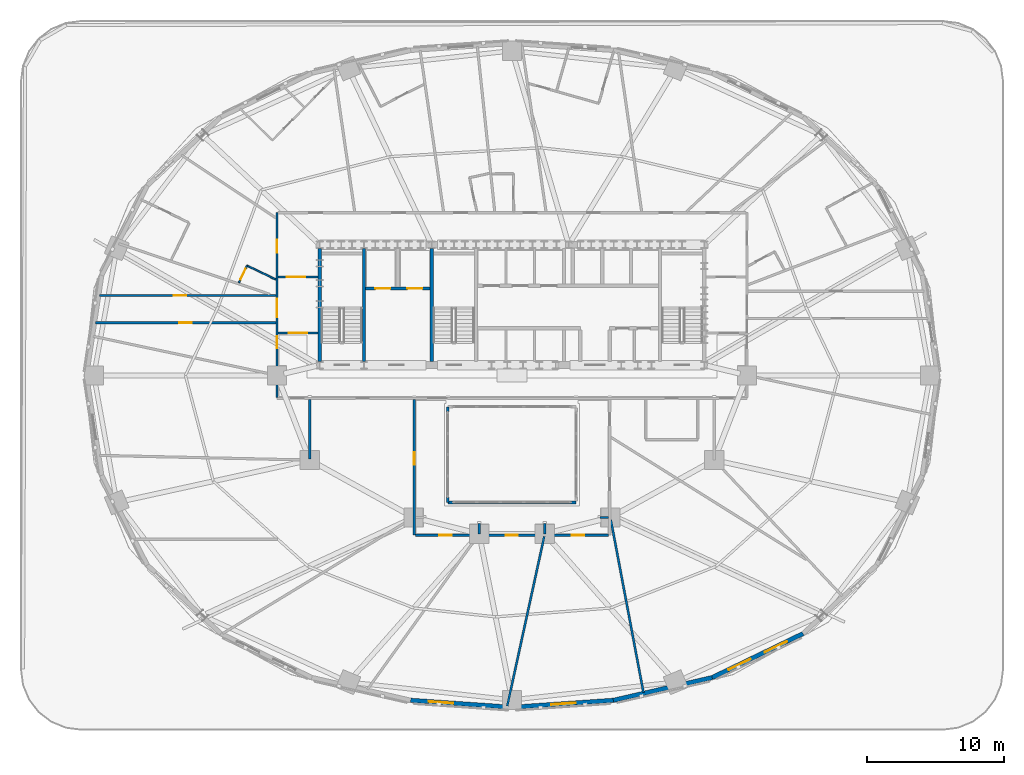
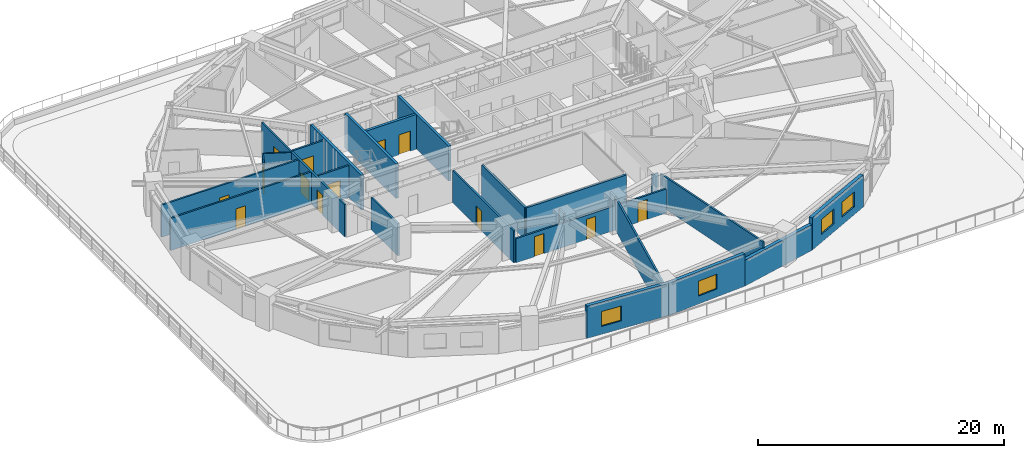
# One storey, part 8 of 18: 25 walls, 14 doors, 4 windows, 18 openings.
"""IFC4 building model written with IfcOpenShell, lengths in metres."""

from ifc_helpers import new_model, si_unit, direction, frame, frame_2d, origin, place, context, subcontext, project, spatial, rectangle, extrude, material, layer, layer_set, type_object, element, fill, save


model = new_model("IFC4")

# Units and contexts
model_context = context("Model", 3, precision=1e-05, world=origin(), true_north=direction((0.0, 1.0)))
body_context = subcontext(model_context, "Body", "Model", "MODEL_VIEW")
ifc_project = project(units=[si_unit("LENGTHUNIT", "METRE"), si_unit("AREAUNIT", "SQUARE_METRE"), si_unit("VOLUMEUNIT", "CUBIC_METRE"), si_unit("PLANEANGLEUNIT", "RADIAN"), si_unit("MASSUNIT", "GRAM", prefix="KILO")], contexts=[model_context])

# Site, building, storey
site_placement = place(None, origin())
site = spatial("IfcSite", under=ifc_project, at=site_placement, CompositionType="ELEMENT")
building_placement = place(site_placement, origin())
building = spatial("IfcBuilding", under=site, at=building_placement, Name="Haldorwick Loom Tower", CompositionType="ELEMENT")
storey_placement = place(building_placement, frame((0.0, 0.0, 24.0)))
storey = spatial("IfcBuildingStorey", under=building, at=storey_placement, Name="L05", CompositionType="ELEMENT", Elevation=24.0)

# Wall, opening, window
ifc_material_1 = material(Name="Pressed Clay Face Brick and Insulated Masonry Backup Assembly", Category="masonry")
ifc_layer_1 = layer(ifc_material_1, 0.320068359375, Name="Pressed Clay Face Brick and Insulated Masonry Backup Assembly", Category="masonry")
ifc_layer_set_1 = layer_set([ifc_layer_1], Name="Pressed Clay Face Brick and Insulated Masonry Backup Assembly")
wall_type_1 = type_object("IfcWallType", Name="ARC-WL-EXT320", PredefinedType="STANDARD", material=ifc_layer_set_1)
wall_1_placement = place(storey_placement, frame((28.588623046875, 2.219482421875, 0.0), z_axis=(0.0, 0.0, 1.0), x_axis=(0.997645161917, -0.068586667092, 0.0)))
wall_1 = element("IfcWall", 1, at=wall_1_placement, inside=storey, type_object=wall_type_1, Name="L05 Brick Pier and Spandrel Wall 18", PredefinedType="STANDARD", context=body_context, shape_type="SweptSolid", body=[
    extrude(rectangle(XDim=7.428955078125, YDim=0.320068359375, at=frame_2d((3.71435546875, 0.0))), origin(), (0.0, 0.0, 1.0), 3.2099609375),
])
opening_1_placement = place(wall_1_placement, frame((1.32861328125, 0.0, 0.800048828125)))
opening_1 = element("IfcOpeningElement", 2, at=opening_1_placement, cuts=wall_1, Name="Opening W-01", PredefinedType="OPENING", context=body_context, shape_type="SweptSolid", body=[
    extrude(rectangle(XDim=1.800048828125, YDim=1.47998046875, at=frame_2d((0.89990234375, 0.739990234375))), frame((0.0, 0.169921875, 0.0), z_axis=(0.0, -1.0, 0.0), x_axis=(1.0, 0.0, 0.0)), (0.0, 0.0, 1.0), 0.340087890625),
])
ifc_material_2 = material(Name="Triple-Glazed Low-E Argon Insulated Glazing Unit", Category="glass")
window_type = type_object("IfcWindowType", Name="ARC-WIN-W180", PartitioningType="SINGLE_PANEL", PredefinedType="WINDOW", material=ifc_material_2)
window_1_placement = place(opening_1_placement, origin())
window_1 = element("IfcWindow", 3, at=window_1_placement, inside=storey, type_object=window_type, Name="L05 Deep-Set Zone 7A Window 18", OverallHeight=1.47998046875, OverallWidth=1.800048828125, PartitioningType="SINGLE_PANEL", PredefinedType="WINDOW", context=body_context, shape_type="SweptSolid", body=[
    extrude(rectangle(XDim=1.800048828125, YDim=1.47998046875, at=frame_2d((0.89990234375, 0.739990234375))), frame((0.0, 0.030029296875, 0.0), z_axis=(0.0, -1.0, 0.0), x_axis=(1.0, 0.0, 0.0)), (0.0, 0.0, 1.0), 0.06005859375),
])
fill(opening_1, window_1)

wall_2_placement = place(storey_placement, frame((36.0, 1.7099609375, 0.0), z_axis=(0.0, 0.0, 1.0), x_axis=(0.997645161917, 0.068586667092, 0.0)))
wall_2 = element("IfcWall", 4, at=wall_2_placement, inside=storey, type_object=wall_type_1, Name="L05 Brick Pier and Spandrel Wall 19", PredefinedType="STANDARD", context=body_context, shape_type="SweptSolid", body=[
    extrude(rectangle(XDim=7.428955078125, YDim=0.320068359375, at=frame_2d((3.71435546875, 0.0))), origin(), (0.0, 0.0, 1.0), 3.2099609375),
])
opening_2_placement = place(wall_2_placement, frame((2.874755859375, 0.0, 0.800048828125)))
opening_2 = element("IfcOpeningElement", 5, at=opening_2_placement, cuts=wall_2, Name="Opening W-01", PredefinedType="OPENING", context=body_context, shape_type="SweptSolid", body=[
    extrude(rectangle(XDim=1.800048828125, YDim=1.47998046875, at=frame_2d((0.89990234375, 0.739990234375))), frame((0.0, 0.169921875, 0.0), z_axis=(0.0, -1.0, 0.0), x_axis=(1.0, 0.0, 0.0)), (0.0, 0.0, 1.0), 0.340087890625),
])
window_2_placement = place(opening_2_placement, origin())
window_2 = element("IfcWindow", 6, at=window_2_placement, inside=storey, type_object=window_type, Name="L05 Deep-Set Zone 7A Window 19", OverallHeight=1.47998046875, OverallWidth=1.800048828125, PartitioningType="SINGLE_PANEL", PredefinedType="WINDOW", context=body_context, shape_type="SweptSolid", body=[
    extrude(rectangle(XDim=1.800048828125, YDim=1.47998046875, at=frame_2d((0.89990234375, 0.739990234375))), frame((0.0, 0.030029296875, 0.0), z_axis=(0.0, -1.0, 0.0), x_axis=(1.0, 0.0, 0.0)), (0.0, 0.0, 1.0), 0.06005859375),
])
fill(opening_2, window_2)

# Wall
wall_3_placement = place(storey_placement, frame((43.411376953125, 2.219482421875, 0.0), z_axis=(0.0, 0.0, 1.0), x_axis=(0.974522412345, 0.224290142088, 0.0)))
element("IfcWall", 7, at=wall_3_placement, inside=storey, type_object=wall_type_1, Name="L05 Brick Pier and Spandrel Wall 20", PredefinedType="STANDARD", context=body_context, shape_type="SweptSolid", body=[
    extrude(rectangle(XDim=7.422607421875, YDim=0.320068359375, at=frame_2d((3.71142578125, 0.0))), origin(), (0.0, 0.0, 1.0), 2.569091796875),
])

# Wall, openings, windows
wall_4_placement = place(storey_placement, frame((50.644775390625, 3.88427734375, 0.0), z_axis=(0.0, 0.0, 1.0), x_axis=(0.900295710431, 0.435278800057, 0.0)))
wall_4 = element("IfcWall", 8, at=wall_4_placement, inside=storey, type_object=wall_type_1, Name="L05 Brick Pier and Spandrel Wall 21", PredefinedType="STANDARD", context=body_context, shape_type="SweptSolid", body=[
    extrude(rectangle(XDim=7.39697265625, YDim=0.320068359375, at=frame_2d((3.698486328125, 0.0))), origin(), (0.0, 0.0, 1.0), 3.2099609375),
])
opening_3_placement = place(wall_4_placement, frame((1.319091796875, 0.0, 0.800048828125)))
opening_3 = element("IfcOpeningElement", 9, at=opening_3_placement, cuts=wall_4, Name="Opening W-01", PredefinedType="OPENING", context=body_context, shape_type="SweptSolid", body=[
    extrude(rectangle(XDim=1.800048828125, YDim=1.47998046875, at=frame_2d((0.89990234375, 0.739990234375))), frame((0.0, 0.169921875, 0.0), z_axis=(0.0, -1.0, 0.0), x_axis=(1.0, 0.0, 0.0)), (0.0, 0.0, 1.0), 0.340087890625),
])
opening_4_placement = place(wall_4_placement, frame((4.27783203125, 0.0, 0.800048828125)))
opening_4 = element("IfcOpeningElement", 10, at=opening_4_placement, cuts=wall_4, Name="Opening W-01", PredefinedType="OPENING", context=body_context, shape_type="SweptSolid", body=[
    extrude(rectangle(XDim=1.800048828125, YDim=1.47998046875, at=frame_2d((0.89990234375, 0.739990234375))), frame((0.0, 0.169921875, 0.0), z_axis=(0.0, -1.0, 0.0), x_axis=(1.0, 0.0, 0.0)), (0.0, 0.0, 1.0), 0.340087890625),
])
window_3_placement = place(opening_3_placement, origin())
window_3 = element("IfcWindow", 11, at=window_3_placement, inside=storey, type_object=window_type, Name="L05 Deep-Set Zone 7A Window 21", OverallHeight=1.47998046875, OverallWidth=1.800048828125, PartitioningType="SINGLE_PANEL", PredefinedType="WINDOW", context=body_context, shape_type="SweptSolid", body=[
    extrude(rectangle(XDim=1.800048828125, YDim=1.47998046875, at=frame_2d((0.89990234375, 0.739990234375))), frame((0.0, 0.030029296875, 0.0), z_axis=(0.0, -1.0, 0.0), x_axis=(1.0, 0.0, 0.0)), (0.0, 0.0, 1.0), 0.06005859375),
])
fill(opening_3, window_3)
window_4_placement = place(opening_4_placement, origin())
window_4 = element("IfcWindow", 12, at=window_4_placement, inside=storey, type_object=window_type, Name="L05 Deep-Set Zone 7A Window 21", OverallHeight=1.47998046875, OverallWidth=1.800048828125, PartitioningType="SINGLE_PANEL", PredefinedType="WINDOW", context=body_context, shape_type="SweptSolid", body=[
    extrude(rectangle(XDim=1.800048828125, YDim=1.47998046875, at=frame_2d((0.89990234375, 0.739990234375))), frame((0.0, 0.030029296875, 0.0), z_axis=(0.0, -1.0, 0.0), x_axis=(1.0, 0.0, 0.0)), (0.0, 0.0, 1.0), 0.06005859375),
])
fill(opening_4, window_4)

# Wall, openings, doors
ifc_material_3 = material(Name="Fire-Rated Type X Gypsum Stud Assembly EI 60")
ifc_layer_2 = layer(ifc_material_3, 0.159912109375, Name="Fire-Rated Type X Gypsum Stud Assembly EI 60")
ifc_layer_set_2 = layer_set([ifc_layer_2], Name="Fire-Rated Type X Gypsum Stud Assembly EI 60")
wall_type_2 = type_object("IfcWallType", Name="ARC-WL-FIRE160", PredefinedType="PARTITIONING", material=ifc_layer_set_2)
wall_5_placement = place(storey_placement, frame((18.800048828125, 24.383056640625, 0.0), z_axis=(0.0, 0.0, 1.0), x_axis=(0.0, 1.0, 0.0)))
wall_5 = element("IfcWall", 13, at=wall_5_placement, inside=storey, type_object=wall_type_2, Name="L05 Residential Fire Partition L05-CR-W0", PredefinedType="PARTITIONING", context=body_context, shape_type="SweptSolid", body=[
    extrude(rectangle(XDim=13.516845703125, YDim=0.159912109375, at=frame_2d((6.75830078125, 0.0))), origin(), (0.0, 0.0, 1.0), 3.195068359375),
])
opening_5_placement = place(wall_5_placement, frame((5.86181640625, 0.0, 0.0)))
opening_5 = element("IfcOpeningElement", 14, at=opening_5_placement, cuts=wall_5, Name="Opening D-CR15", PredefinedType="OPENING", context=body_context, shape_type="SweptSolid", body=[
    extrude(rectangle(XDim=1.35009765625, YDim=2.0, at=frame_2d((0.675048828125, 1.0))), frame((0.0, 0.08984375, 0.0), z_axis=(0.0, -1.0, 0.0), x_axis=(1.0, 0.0, 0.0)), (0.0, 0.0, 1.0), 0.179931640625),
])
opening_6_placement = place(wall_5_placement, frame((10.6044921875, 0.0, 0.0)))
opening_6 = element("IfcOpeningElement", 15, at=opening_6_placement, cuts=wall_5, Name="Opening D-FL95", PredefinedType="OPENING", context=body_context, shape_type="SweptSolid", body=[
    extrude(rectangle(XDim=0.949951171875, YDim=2.0400390625, at=frame_2d((0.47509765625, 1.02001953125))), frame((0.0, 0.08984375, 0.0), z_axis=(0.0, -1.0, 0.0), x_axis=(1.0, 0.0, 0.0)), (0.0, 0.0, 1.0), 0.179931640625),
])
opening_7_placement = place(wall_5_placement, frame((3.59326171875, 0.0, 0.0)))
opening_7 = element("IfcOpeningElement", 16, at=opening_7_placement, cuts=wall_5, Name="Opening D-FD60A", PredefinedType="OPENING", context=body_context, shape_type="SweptSolid", body=[
    extrude(rectangle(XDim=0.89990234375, YDim=2.0, at=frame_2d((0.449951171875, 1.0))), frame((0.0, 0.08984375, 0.0), z_axis=(0.0, -1.0, 0.0), x_axis=(1.0, 0.0, 0.0)), (0.0, 0.0, 1.0), 0.179931640625),
])
ifc_material_4 = material(Name="Thermally Broken Anodized Aluminium and Tempered Glass", Category="aluminium")
door_type_1 = type_object("IfcDoorType", Name="ARC-DR-COR150", OperationType="NOTDEFINED", PredefinedType="DOOR", material=ifc_material_4)
door_1_placement = place(opening_5_placement, origin())
door_1 = element("IfcDoor", 17, at=door_1_placement, inside=storey, type_object=door_type_1, Name="L05 L05 West Daylight Corridor to L05 West Residential Corridor Door", OperationType="DOUBLE_DOOR_SINGLE_SWING", OverallHeight=2.0, OverallWidth=1.35009765625, PredefinedType="DOOR", context=body_context, shape_type="SweptSolid", body=[
    extrude(rectangle(XDim=1.35009765625, YDim=2.0, at=frame_2d((0.675048828125, 1.0))), frame((0.0, 0.02490234375, 0.0), z_axis=(0.0, -1.0, 0.0), x_axis=(1.0, 0.0, 0.0)), (0.0, 0.0, 1.0), 0.050048828125),
])
fill(opening_5, door_1)
ifc_material_5 = material(Name="Hollow Steel Fire Door Assembly", Category="steel")
door_type_2 = type_object("IfcDoorType", Name="ARC-DR-FD60-90", OperationType="NOTDEFINED", PredefinedType="DOOR", material=ifc_material_5)
door_2_placement = place(opening_7_placement, frame((0.89990234375, 0.0, 0.0), z_axis=(0.0, 0.0, 1.0), x_axis=(-1.0, 0.0, 0.0)))
door_2 = element("IfcDoor", 18, at=door_2_placement, inside=storey, type_object=door_type_2, Name="L05 Resident Study Room 9 to L05 Central Residential Corridor Door", OperationType="SINGLE_SWING_LEFT", OverallHeight=2.0, OverallWidth=0.89990234375, PredefinedType="DOOR", context=body_context, shape_type="SweptSolid", body=[
    extrude(rectangle(XDim=0.89990234375, YDim=2.0, at=frame_2d((0.449951171875, 1.0))), frame((0.0, 0.02490234375, 0.0), z_axis=(0.0, -1.0, 0.0), x_axis=(1.0, 0.0, 0.0)), (0.0, 0.0, 1.0), 0.050048828125),
])
fill(opening_7, door_2)
ifc_material_6 = material(Name="Solid Core Birch Architectural Door")
door_type_3 = type_object("IfcDoorType", Name="ARC-DR-FLAT95", OperationType="NOTDEFINED", PredefinedType="DOOR", material=ifc_material_6)
door_3_placement = place(opening_6_placement, frame((0.949951171875, 0.0, 0.0), z_axis=(0.0, 0.0, 1.0), x_axis=(-1.0, 0.0, 0.0)))
door_3 = element("IfcDoor", 19, at=door_3_placement, inside=storey, type_object=door_type_3, Name="L05 Unit 05I Kitchen and Living Room to L05 North Residential Corridor D", OperationType="SINGLE_SWING_RIGHT", OverallHeight=2.0400390625, OverallWidth=0.949951171875, PredefinedType="DOOR", context=body_context, shape_type="SweptSolid", body=[
    extrude(rectangle(XDim=0.949951171875, YDim=2.0400390625, at=frame_2d((0.47509765625, 1.02001953125))), frame((0.0, 0.02490234375, 0.0), z_axis=(0.0, -1.0, 0.0), x_axis=(1.0, 0.0, 0.0)), (0.0, 0.0, 1.0), 0.050048828125),
])
fill(opening_6, door_3)

# Wall, opening, door
wall_6_placement = place(storey_placement, frame((18.883056640625, 29.10009765625, 0.0), z_axis=(0.0, 0.0, 1.0), x_axis=(1.0, 0.0, 0.0)))
wall_6 = element("IfcWall", 20, at=wall_6_placement, inside=storey, type_object=wall_type_2, Name="L05 Residential Fire Partition L05-CR-WSJ", PredefinedType="PARTITIONING", context=body_context, shape_type="SweptSolid", body=[
    extrude(rectangle(XDim=2.923828125, YDim=0.159912109375, at=frame_2d((1.4619140625, 0.0))), origin(), (0.0, 0.0, 1.0), 3.195068359375),
])
opening_8_placement = place(wall_6_placement, frame((0.787109375, 0.0, 0.0)))
opening_8 = element("IfcOpeningElement", 21, at=opening_8_placement, cuts=wall_6, Name="Opening D-CR15", PredefinedType="OPENING", context=body_context, shape_type="SweptSolid", body=[
    extrude(rectangle(XDim=1.35009765625, YDim=2.0, at=frame_2d((0.675048828125, 1.0))), frame((0.0, 0.08984375, 0.0), z_axis=(0.0, -1.0, 0.0), x_axis=(1.0, 0.0, 0.0)), (0.0, 0.0, 1.0), 0.179931640625),
])
door_4_placement = place(opening_8_placement, origin())
door_4 = element("IfcDoor", 22, at=door_4_placement, inside=storey, type_object=door_type_1, Name="L05 L05 West Residential Corridor to L05 Central Residential Corridor Do", OperationType="DOUBLE_DOOR_SINGLE_SWING", OverallHeight=2.0, OverallWidth=1.35009765625, PredefinedType="DOOR", context=body_context, shape_type="SweptSolid", body=[
    extrude(rectangle(XDim=1.35009765625, YDim=2.0, at=frame_2d((0.675048828125, 1.0))), frame((0.0, 0.02490234375, 0.0), z_axis=(0.0, -1.0, 0.0), x_axis=(1.0, 0.0, 0.0)), (0.0, 0.0, 1.0), 0.050048828125),
])
fill(opening_8, door_4)

wall_7_placement = place(storey_placement, frame((18.883056640625, 33.199951171875, 0.0), z_axis=(0.0, 0.0, 1.0), x_axis=(1.0, 0.0, 0.0)))
wall_7 = element("IfcWall", 23, at=wall_7_placement, inside=storey, type_object=wall_type_2, Name="L05 Residential Fire Partition L05-CR-WNJ", PredefinedType="PARTITIONING", context=body_context, shape_type="SweptSolid", body=[
    extrude(rectangle(XDim=2.923828125, YDim=0.159912109375, at=frame_2d((1.4619140625, 0.0))), origin(), (0.0, 0.0, 1.0), 3.195068359375),
])
opening_9_placement = place(wall_7_placement, frame((0.637939453125, 0.0, 0.0)))
opening_9 = element("IfcOpeningElement", 24, at=opening_9_placement, cuts=wall_7, Name="Opening D-CR15", PredefinedType="OPENING", context=body_context, shape_type="SweptSolid", body=[
    extrude(rectangle(XDim=1.35009765625, YDim=2.0, at=frame_2d((0.675048828125, 1.0))), frame((0.0, 0.08984375, 0.0), z_axis=(0.0, -1.0, 0.0), x_axis=(1.0, 0.0, 0.0)), (0.0, 0.0, 1.0), 0.179931640625),
])
door_5_placement = place(opening_9_placement, origin())
door_5 = element("IfcDoor", 25, at=door_5_placement, inside=storey, type_object=door_type_1, Name="L05 L05 North Residential Corridor to L05 West Residential Corridor Door", OperationType="DOUBLE_DOOR_SINGLE_SWING", OverallHeight=2.0, OverallWidth=1.35009765625, PredefinedType="DOOR", context=body_context, shape_type="SweptSolid", body=[
    extrude(rectangle(XDim=1.35009765625, YDim=2.0, at=frame_2d((0.675048828125, 1.0))), frame((0.0, 0.02490234375, 0.0), z_axis=(0.0, -1.0, 0.0), x_axis=(1.0, 0.0, 0.0)), (0.0, 0.0, 1.0), 0.050048828125),
])
fill(opening_9, door_5)

wall_8_placement = place(storey_placement, frame((28.85009765625, 14.300048828125, 0.0), z_axis=(0.0, 0.0, 1.0), x_axis=(0.0, 1.0, 0.0)))
wall_8 = element("IfcWall", 26, at=wall_8_placement, inside=storey, type_object=wall_type_2, Name="L05 Residential Fire Partition L05-CR-AW", PredefinedType="PARTITIONING", context=body_context, shape_type="SweptSolid", body=[
    extrude(rectangle(XDim=9.9169921875, YDim=0.159912109375, at=frame_2d((4.95849609375, 0.0))), origin(), (0.0, 0.0, 1.0), 3.195068359375),
])
opening_10_placement = place(wall_8_placement, frame((5.169677734375, 0.0, 0.0)))
opening_10 = element("IfcOpeningElement", 27, at=opening_10_placement, cuts=wall_8, Name="Opening D-FD60A", PredefinedType="OPENING", context=body_context, shape_type="SweptSolid", body=[
    extrude(rectangle(XDim=0.89990234375, YDim=2.0, at=frame_2d((0.449951171875, 1.0))), frame((0.0, 0.08984375, 0.0), z_axis=(0.0, -1.0, 0.0), x_axis=(1.0, 0.0, 0.0)), (0.0, 0.0, 1.0), 0.179931640625),
])
door_6_placement = place(opening_10_placement, frame((0.89990234375, 0.0, 0.0), z_axis=(0.0, 0.0, 1.0), x_axis=(-1.0, 0.0, 0.0)))
door_6 = element("IfcDoor", 28, at=door_6_placement, inside=storey, type_object=door_type_2, Name="L05 Community Library Hall 5 to L05 South Atrium Corridor Door", OperationType="SINGLE_SWING_RIGHT", OverallHeight=2.0, OverallWidth=0.89990234375, PredefinedType="DOOR", context=body_context, shape_type="SweptSolid", body=[
    extrude(rectangle(XDim=0.89990234375, YDim=2.0, at=frame_2d((0.449951171875, 1.0))), frame((0.0, 0.02490234375, 0.0), z_axis=(0.0, -1.0, 0.0), x_axis=(1.0, 0.0, 0.0)), (0.0, 0.0, 1.0), 0.050048828125),
])
fill(opening_10, door_6)

# Wall, openings, doors
wall_9_placement = place(storey_placement, frame((28.93310546875, 14.300048828125, 0.0), z_axis=(0.0, 0.0, 1.0), x_axis=(1.0, 0.0, 0.0)))
wall_9 = element("IfcWall", 29, at=wall_9_placement, inside=storey, type_object=wall_type_2, Name="L05 Residential Fire Partition L05-CR-AS", PredefinedType="PARTITIONING", context=body_context, shape_type="SweptSolid", body=[
    extrude(rectangle(XDim=14.1337890625, YDim=0.159912109375, at=frame_2d((7.06689453125, 0.0))), origin(), (0.0, 0.0, 1.0), 2.412109375),
])
opening_11_placement = place(wall_9_placement, frame((6.6240234375, 0.0, 0.0)))
opening_11 = element("IfcOpeningElement", 30, at=opening_11_placement, cuts=wall_9, Name="Opening D-FD88", PredefinedType="OPENING", context=body_context, shape_type="SweptSolid", body=[
    extrude(rectangle(XDim=0.8798828125, YDim=2.02001953125, at=frame_2d((0.43994140625, 1.010009765625))), frame((0.0, 0.08984375, 0.0), z_axis=(0.0, -1.0, 0.0), x_axis=(1.0, 0.0, 0.0)), (0.0, 0.0, 1.0), 0.179931640625),
])
opening_12_placement = place(wall_9_placement, frame((11.455322265625, 0.0, 0.0)))
opening_12 = element("IfcOpeningElement", 31, at=opening_12_placement, cuts=wall_9, Name="Opening D-FD60A", PredefinedType="OPENING", context=body_context, shape_type="SweptSolid", body=[
    extrude(rectangle(XDim=0.89990234375, YDim=2.0, at=frame_2d((0.449951171875, 1.0))), frame((0.0, 0.08984375, 0.0), z_axis=(0.0, -1.0, 0.0), x_axis=(1.0, 0.0, 0.0)), (0.0, 0.0, 1.0), 0.179931640625),
])
opening_13_placement = place(wall_9_placement, frame((1.75830078125, 0.0, 0.0)))
opening_13 = element("IfcOpeningElement", 32, at=opening_13_placement, cuts=wall_9, Name="Opening D-FD60A", PredefinedType="OPENING", context=body_context, shape_type="SweptSolid", body=[
    extrude(rectangle(XDim=0.89990234375, YDim=2.0, at=frame_2d((0.449951171875, 1.0))), frame((0.0, 0.08984375, 0.0), z_axis=(0.0, -1.0, 0.0), x_axis=(1.0, 0.0, 0.0)), (0.0, 0.0, 1.0), 0.179931640625),
])
door_type_4 = type_object("IfcDoorType", Name="ARC-DR-FD60-88", OperationType="NOTDEFINED", PredefinedType="DOOR", material=ifc_material_5)
door_7_placement = place(opening_11_placement, origin())
door_7 = element("IfcDoor", 33, at=door_7_placement, inside=storey, type_object=door_type_4, Name="L05 L05 South Atrium Corridor to Community Library Hall 1 Door", OperationType="SINGLE_SWING_RIGHT", OverallHeight=2.02001953125, OverallWidth=0.8798828125, PredefinedType="DOOR", context=body_context, shape_type="SweptSolid", body=[
    extrude(rectangle(XDim=0.8798828125, YDim=2.02001953125, at=frame_2d((0.43994140625, 1.010009765625))), frame((0.0, 0.02490234375, 0.0), z_axis=(0.0, -1.0, 0.0), x_axis=(1.0, 0.0, 0.0)), (0.0, 0.0, 1.0), 0.050048828125),
])
fill(opening_11, door_7)
door_8_placement = place(opening_12_placement, origin())
door_8 = element("IfcDoor", 34, at=door_8_placement, inside=storey, type_object=door_type_2, Name="L05 L05 South Atrium Corridor to Community Library Hall 2 Door", OperationType="SINGLE_SWING_LEFT", OverallHeight=2.0, OverallWidth=0.89990234375, PredefinedType="DOOR", context=body_context, shape_type="SweptSolid", body=[
    extrude(rectangle(XDim=0.89990234375, YDim=2.0, at=frame_2d((0.449951171875, 1.0))), frame((0.0, 0.02490234375, 0.0), z_axis=(0.0, -1.0, 0.0), x_axis=(1.0, 0.0, 0.0)), (0.0, 0.0, 1.0), 0.050048828125),
])
fill(opening_12, door_8)
door_9_placement = place(opening_13_placement, origin())
door_9 = element("IfcDoor", 35, at=door_9_placement, inside=storey, type_object=door_type_2, Name="L05 L05 South Atrium Corridor to Community Library Hall 3 Door", OperationType="SINGLE_SWING_LEFT", OverallHeight=2.0, OverallWidth=0.89990234375, PredefinedType="DOOR", context=body_context, shape_type="SweptSolid", body=[
    extrude(rectangle(XDim=0.89990234375, YDim=2.0, at=frame_2d((0.449951171875, 1.0))), frame((0.0, 0.02490234375, 0.0), z_axis=(0.0, -1.0, 0.0), x_axis=(1.0, 0.0, 0.0)), (0.0, 0.0, 1.0), 0.050048828125),
])
fill(opening_13, door_9)

# Wall, opening, door
wall_10_placement = place(storey_placement, frame((5.515625, 29.85009765625, 0.0), z_axis=(0.0, 0.0, 1.0), x_axis=(1.0, 0.0, 0.0)))
wall_10 = element("IfcWall", 36, at=wall_10_placement, inside=storey, type_object=wall_type_2, Name="L05 Residential Fire Partition L05-CR-GW0", PredefinedType="PARTITIONING", context=body_context, shape_type="SweptSolid", body=[
    extrude(rectangle(XDim=13.201416015625, YDim=0.159912109375, at=frame_2d((6.6005859375, 0.0))), origin(), (0.0, 0.0, 1.0), 3.195068359375),
])
opening_14_placement = place(wall_10_placement, frame((6.150634765625, 0.0, 0.0)))
opening_14 = element("IfcOpeningElement", 37, at=opening_14_placement, cuts=wall_10, Name="Opening D-FD60A", PredefinedType="OPENING", context=body_context, shape_type="SweptSolid", body=[
    extrude(rectangle(XDim=0.89990234375, YDim=2.0, at=frame_2d((0.449951171875, 1.0))), frame((0.0, 0.08984375, 0.0), z_axis=(0.0, -1.0, 0.0), x_axis=(1.0, 0.0, 0.0)), (0.0, 0.0, 1.0), 0.179931640625),
])
door_10_placement = place(opening_14_placement, origin())
door_10 = element("IfcDoor", 38, at=door_10_placement, inside=storey, type_object=door_type_2, Name="L05 L05 West Daylight Corridor to Resident Study Room 9 Door", OperationType="SINGLE_SWING_RIGHT", OverallHeight=2.0, OverallWidth=0.89990234375, PredefinedType="DOOR", context=body_context, shape_type="SweptSolid", body=[
    extrude(rectangle(XDim=0.89990234375, YDim=2.0, at=frame_2d((0.449951171875, 1.0))), frame((0.0, 0.02490234375, 0.0), z_axis=(0.0, -1.0, 0.0), x_axis=(1.0, 0.0, 0.0)), (0.0, 0.0, 1.0), 0.050048828125),
])
fill(opening_14, door_10)

wall_11_placement = place(storey_placement, frame((5.820068359375, 31.85009765625, 0.0), z_axis=(0.0, 0.0, 1.0), x_axis=(1.0, 0.0, 0.0)))
wall_11 = element("IfcWall", 39, at=wall_11_placement, inside=storey, type_object=wall_type_2, Name="L05 Residential Fire Partition L05-CR-GW1", PredefinedType="PARTITIONING", context=body_context, shape_type="SweptSolid", body=[
    extrude(rectangle(XDim=12.89697265625, YDim=0.159912109375, at=frame_2d((6.448486328125, 0.0))), origin(), (0.0, 0.0, 1.0), 3.195068359375),
])
opening_15_placement = place(wall_11_placement, frame((5.4423828125, 0.0, 0.0)))
opening_15 = element("IfcOpeningElement", 40, at=opening_15_placement, cuts=wall_11, Name="Opening D-FD60A", PredefinedType="OPENING", context=body_context, shape_type="SweptSolid", body=[
    extrude(rectangle(XDim=0.89990234375, YDim=2.0, at=frame_2d((0.449951171875, 1.0))), frame((0.0, 0.08984375, 0.0), z_axis=(0.0, -1.0, 0.0), x_axis=(1.0, 0.0, 0.0)), (0.0, 0.0, 1.0), 0.179931640625),
])
door_11_placement = place(opening_15_placement, frame((0.89990234375, 0.0, 0.0), z_axis=(0.0, 0.0, 1.0), x_axis=(-1.0, 0.0, 0.0)))
door_11 = element("IfcDoor", 41, at=door_11_placement, inside=storey, type_object=door_type_2, Name="L05 Remote Work Office 10 to L05 West Daylight Corridor Door", OperationType="SINGLE_SWING_LEFT", OverallHeight=2.0, OverallWidth=0.89990234375, PredefinedType="DOOR", context=body_context, shape_type="SweptSolid", body=[
    extrude(rectangle(XDim=0.89990234375, YDim=2.0, at=frame_2d((0.449951171875, 1.0))), frame((0.0, 0.02490234375, 0.0), z_axis=(0.0, -1.0, 0.0), x_axis=(1.0, 0.0, 0.0)), (0.0, 0.0, 1.0), 0.050048828125),
])
fill(opening_15, door_11)

# Walls
wall_12_placement = place(storey_placement, frame((43.23291015625, 15.42529296875, 0.0), z_axis=(0.0, 0.0, 1.0), x_axis=(0.185578451916, -0.982629451108, 0.0)))
element("IfcWall", 42, at=wall_12_placement, inside=storey, type_object=wall_type_2, Name="L05 Residential Fire Partition L05-ICR-05", PredefinedType="PARTITIONING", context=body_context, shape_type="SweptSolid", body=[
    extrude(rectangle(XDim=12.8544921875, YDim=0.159912109375, at=frame_2d((6.42724609375, 0.0))), origin(), (0.0, 0.0, 1.0), 3.195068359375),
])
wall_13_placement = place(storey_placement, frame((38.360107421875, 14.217041015625, 0.0), z_axis=(0.0, 0.0, 1.0), x_axis=(-0.213215081221, -0.977005286137, 0.0)))
element("IfcWall", 43, at=wall_13_placement, inside=storey, type_object=wall_type_2, Name="L05 Residential Fire Partition L05-ICR-07", PredefinedType="PARTITIONING", context=body_context, shape_type="SweptSolid", body=[
    extrude(rectangle(XDim=12.7099609375, YDim=0.159912109375, at=frame_2d((6.35498046875, 0.0))), origin(), (0.0, 0.0, 1.0), 3.195068359375),
])
wall_14_placement = place(storey_placement, frame((42.449951171875, 15.60009765625, 0.0), z_axis=(0.0, 0.0, 1.0), x_axis=(1.0, 0.0, 0.0)))
element("IfcWall", 44, at=wall_14_placement, inside=storey, type_object=wall_type_2, Name="L05 Residential Fire Partition L05-ICA-04", PredefinedType="PARTITIONING", context=body_context, shape_type="SweptSolid", body=[
    extrude(rectangle(XDim=0.616943359375, YDim=0.159912109375, at=frame_2d((0.30859375, 0.0))), origin(), (0.0, 0.0, 1.0), 3.195068359375),
])
for number, where, z_axis, x_axis, name in (
    (45, (38.39990234375, 15.14990234375, 0.0), (0.0, 0.0, 1.0), (0.0, -1.0, 0.0), "L05 Residential Fire Partition L05-ICA-06"),
    (46, (33.60009765625, 15.14990234375, 0.0), (0.0, 0.0, 1.0), (0.0, -1.0, 0.0), "L05 Residential Fire Partition L05-ICA-08"),
):
    element("IfcWall", number, at=place(storey_placement, frame(where, z_axis=z_axis, x_axis=x_axis)), inside=storey, type_object=wall_type_2, Name=name, PredefinedType="PARTITIONING", context=body_context, shape_type="SweptSolid", body=[
        extrude(rectangle(XDim=0.75, YDim=0.159912109375, at=frame_2d((0.375, 0.0))), origin(), (0.0, 0.0, 1.0), 3.195068359375),
    ])
wall_15_placement = place(storey_placement, frame((21.199951171875, 24.217041015625, 0.0), z_axis=(0.0, 0.0, 1.0), x_axis=(0.0, -1.0, 0.0)))
element("IfcWall", 47, at=wall_15_placement, inside=storey, type_object=wall_type_2, Name="L05 Residential Fire Partition L05-ICA-12", PredefinedType="PARTITIONING", context=body_context, shape_type="SweptSolid", body=[
    extrude(rectangle(XDim=4.333984375, YDim=0.159912109375, at=frame_2d((2.1669921875, 0.0))), origin(), (0.0, 0.0, 1.0), 3.195068359375),
])
ifc_material_7 = material(Name="Fire-Rated Type X Gypsum Stud Assembly EI 120")
ifc_layer_3 = layer(ifc_material_7, 0.199951171875, Name="Fire-Rated Type X Gypsum Stud Assembly EI 120")
ifc_layer_set_3 = layer_set([ifc_layer_3], Name="Fire-Rated Type X Gypsum Stud Assembly EI 120")
wall_type_3 = type_object("IfcWallType", Name="ARC-WL-FIRE200", PredefinedType="PARTITIONING", material=ifc_layer_set_3)
wall_16_placement = place(storey_placement, frame((40.699951171875, 16.699951171875, 0.0), z_axis=(0.0, 0.0, 1.0), x_axis=(-1.0, 0.0, 0.0)))
element("IfcWall", 48, at=wall_16_placement, inside=storey, type_object=wall_type_3, Name="L05 Atrium Fire Enclosure Wall S", PredefinedType="PARTITIONING", context=body_context, shape_type="SweptSolid", body=[
    extrude(rectangle(XDim=9.39990234375, YDim=0.199951171875, at=frame_2d((4.699951171875, 0.0))), origin(), (0.0, 0.0, 1.0), 3.195068359375),
])
wall_17_placement = place(storey_placement, frame((31.300048828125, 16.699951171875, 0.0), z_axis=(0.0, 0.0, 1.0), x_axis=(0.0, 1.0, 0.0)))
element("IfcWall", 49, at=wall_17_placement, inside=storey, type_object=wall_type_3, Name="L05 Atrium Fire Enclosure Wall W", PredefinedType="PARTITIONING", context=body_context, shape_type="SweptSolid", body=[
    extrude(rectangle(XDim=7.0, YDim=0.199951171875, at=frame_2d((3.5, 0.0))), origin(), (0.0, 0.0, 1.0), 3.195068359375),
])

# Wall, opening, door
ifc_material_8 = material(Name="Acoustic Gypsum Stud Assembly STC 55")
ifc_layer_4 = layer(ifc_material_8, 0.1201171875, Name="Acoustic Gypsum Stud Assembly STC 55")
ifc_layer_set_4 = layer_set([ifc_layer_4], Name="Acoustic Gypsum Stud Assembly STC 55")
wall_type_4 = type_object("IfcWallType", Name="ARC-WL-PART120", PredefinedType="PARTITIONING", material=ifc_layer_set_4)
wall_18_placement = place(storey_placement, frame((16.618408203125, 34.026611328125, 0.0), z_axis=(0.0, 0.0, 1.0), x_axis=(-0.434143642565, -0.900843658811, 0.0)))
wall_18 = element("IfcWall", 50, at=wall_18_placement, inside=storey, type_object=wall_type_4, Name="L05 Unit 05I Interior Partition", PredefinedType="PARTITIONING", context=body_context, shape_type="SweptSolid", body=[
    extrude(rectangle(XDim=1.38720703125, YDim=0.1201171875, at=frame_2d((0.693603515625, 0.0))), origin(), (0.0, 0.0, 1.0), 3.195068359375),
])
opening_16_placement = place(wall_18_placement, frame((0.253662109375, 0.0, 0.0)))
opening_16 = element("IfcOpeningElement", 51, at=opening_16_placement, cuts=wall_18, Name="Opening D-BT88", PredefinedType="OPENING", context=body_context, shape_type="SweptSolid", body=[
    extrude(rectangle(XDim=0.8798828125, YDim=2.02001953125, at=frame_2d((0.43994140625, 1.010009765625))), frame((0.0, 0.070068359375, 0.0), z_axis=(0.0, -1.0, 0.0), x_axis=(1.0, 0.0, 0.0)), (0.0, 0.0, 1.0), 0.14013671875),
])
door_type_5 = type_object("IfcDoorType", Name="ARC-DR-BATH88", OperationType="NOTDEFINED", PredefinedType="DOOR", material=ifc_material_6)
door_12_placement = place(opening_16_placement, origin())
door_12 = element("IfcDoor", 52, at=door_12_placement, inside=storey, type_object=door_type_5, Name="L05 Unit 05I Bathroom to Unit 05I Kitchen and Living Room Door", OperationType="SINGLE_SWING_LEFT", OverallHeight=2.02001953125, OverallWidth=0.8798828125, PredefinedType="DOOR", context=body_context, shape_type="SweptSolid", body=[
    extrude(rectangle(XDim=0.8798828125, YDim=2.02001953125, at=frame_2d((0.43994140625, 1.010009765625))), frame((0.0, 0.02490234375, 0.0), z_axis=(0.0, -1.0, 0.0), x_axis=(1.0, 0.0, 0.0)), (0.0, 0.0, 1.0), 0.050048828125),
])
fill(opening_16, door_12)

# Walls
wall_19_placement = place(storey_placement, frame((18.717041015625, 33.01513671875, 0.0), z_axis=(0.0, 0.0, 1.0), x_axis=(-0.900830167376, 0.434171636044, 0.0)))
element("IfcWall", 53, at=wall_19_placement, inside=storey, type_object=wall_type_4, Name="L05 Unit 05I Interior Partition", PredefinedType="PARTITIONING", context=body_context, shape_type="SweptSolid", body=[
    extrude(rectangle(XDim=2.32958984375, YDim=0.1201171875, at=frame_2d((1.164794921875, 0.0))), origin(), (0.0, 0.0, 1.0), 3.195068359375),
])
ifc_material_9 = material(Name="Concrete C50 (50 MPa)", Category="concrete")
ifc_layer_5 = layer(ifc_material_9, 0.239990234375, Name="Concrete C50 (50 MPa)", Category="concrete")
ifc_layer_set_5 = layer_set([ifc_layer_5], Name="Concrete C50 (50 MPa)")
wall_type_5 = type_object("IfcWallType", Name="STR-WL-SHAFT240", PredefinedType="SHEAR", material=ifc_layer_set_5)
for number, where, z_axis, x_axis, name in (
    (54, (21.929931640625, 35.297119140625, 0.0), (0.0, 0.0, 1.0), (0.0, -1.0, 0.0), "L05 Core Shear Wall W"),
    (55, (25.169921875, 27.0029296875, 0.0), (0.0, 0.0, 1.0), (0.0, 1.0, 0.0), "L05 Core Shear Wall 1"),
    (56, (30.1298828125, 27.0029296875, 0.0), (0.0, 0.0, 1.0), (0.0, 1.0, 0.0), "L05 Core Shear Wall 2"),
):
    element("IfcWall", number, at=place(storey_placement, frame(where, z_axis=z_axis, x_axis=x_axis)), inside=storey, type_object=wall_type_5, Name=name, PredefinedType="SHEAR", context=body_context, shape_type="SweptSolid", body=[
        extrude(rectangle(XDim=8.294189453125, YDim=0.239990234375, at=frame_2d((4.14697265625, 0.0))), origin(), (0.0, 0.0, 1.0), 3.449951171875),
    ])

# Wall, openings, doors
wall_20_placement = place(storey_placement, frame((25.29296875, 32.35009765625, 0.0), z_axis=(0.0, 0.0, 1.0), x_axis=(1.0, 0.0, 0.0)))
wall_20 = element("IfcWall", 57, at=wall_20_placement, inside=storey, type_object=wall_type_5, Name="L05 Core Shear Wall FF", PredefinedType="SHEAR", context=body_context, shape_type="SweptSolid", body=[
    extrude(rectangle(XDim=4.714111328125, YDim=0.239990234375, at=frame_2d((2.35693359375, 0.0))), origin(), (0.0, 0.0, 1.0), 3.449951171875),
])
opening_17_placement = place(wall_20_placement, frame((0.70703125, 0.0, 0.0)))
opening_17 = element("IfcOpeningElement", 58, at=opening_17_placement, cuts=wall_20, Name="Opening LD-FF1", PredefinedType="OPENING", context=body_context, shape_type="SweptSolid", body=[
    extrude(rectangle(XDim=1.10009765625, YDim=2.0, at=frame_2d((0.550048828125, 1.0))), frame((0.0, 0.1298828125, 0.0), z_axis=(0.0, -1.0, 0.0), x_axis=(1.0, 0.0, 0.0)), (0.0, 0.0, 1.0), 0.260009765625),
])
opening_18_placement = place(wall_20_placement, frame((3.056884765625, 0.0, 0.0)))
opening_18 = element("IfcOpeningElement", 59, at=opening_18_placement, cuts=wall_20, Name="Opening LD-FF2", PredefinedType="OPENING", context=body_context, shape_type="SweptSolid", body=[
    extrude(rectangle(XDim=1.10009765625, YDim=2.0, at=frame_2d((0.550048828125, 1.0))), frame((0.0, 0.1298828125, 0.0), z_axis=(0.0, -1.0, 0.0), x_axis=(1.0, 0.0, 0.0)), (0.0, 0.0, 1.0), 0.260009765625),
])
door_type_6 = type_object("IfcDoorType", Name="ARC-DR-LD-FF", OperationType="NOTDEFINED", PredefinedType="USERDEFINED", material=ifc_material_5)
door_13_placement = place(opening_17_placement, origin())
door_13 = element("IfcDoor", 60, at=door_13_placement, inside=storey, type_object=door_type_6, Name="L05 Lift LF-FF1 Sliding Landing Door", ObjectType="LANDING DOOR", OperationType="DOUBLE_DOOR_SLIDING", OverallHeight=2.0, OverallWidth=1.10009765625, PredefinedType="USERDEFINED", context=body_context, shape_type="SweptSolid", body=[
    extrude(rectangle(XDim=1.10009765625, YDim=2.0, at=frame_2d((0.550048828125, 1.0))), frame((0.0, 0.02490234375, 0.0), z_axis=(0.0, -1.0, 0.0), x_axis=(1.0, 0.0, 0.0)), (0.0, 0.0, 1.0), 0.050048828125),
])
fill(opening_17, door_13)
door_14_placement = place(opening_18_placement, origin())
door_14 = element("IfcDoor", 61, at=door_14_placement, inside=storey, type_object=door_type_6, Name="L05 Lift LF-FF2 Sliding Landing Door", ObjectType="LANDING DOOR", OperationType="DOUBLE_DOOR_SLIDING", OverallHeight=2.0, OverallWidth=1.10009765625, PredefinedType="USERDEFINED", context=body_context, shape_type="SweptSolid", body=[
    extrude(rectangle(XDim=1.10009765625, YDim=2.0, at=frame_2d((0.550048828125, 1.0))), frame((0.0, 0.02490234375, 0.0), z_axis=(0.0, -1.0, 0.0), x_axis=(1.0, 0.0, 0.0)), (0.0, 0.0, 1.0), 0.050048828125),
])
fill(opening_18, door_14)

save(model, "model.ifc")
